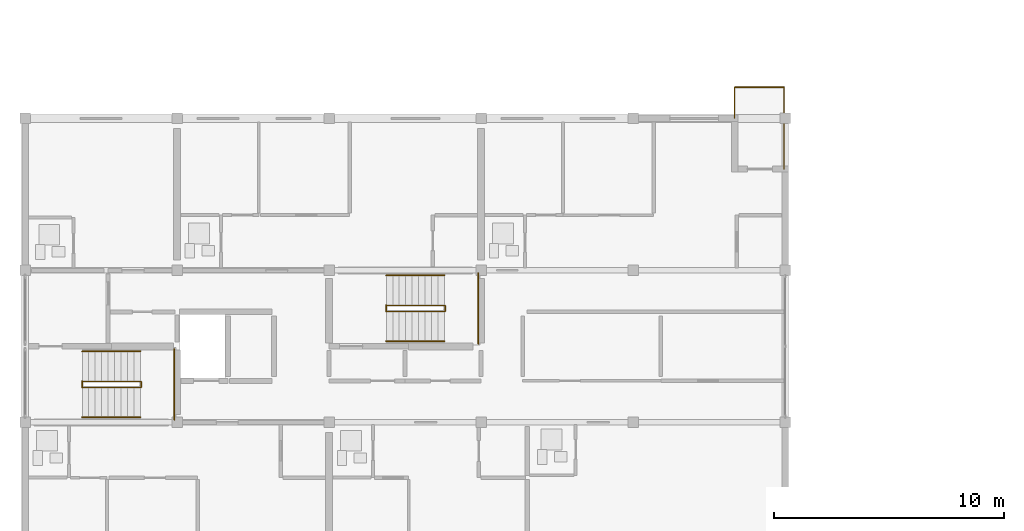
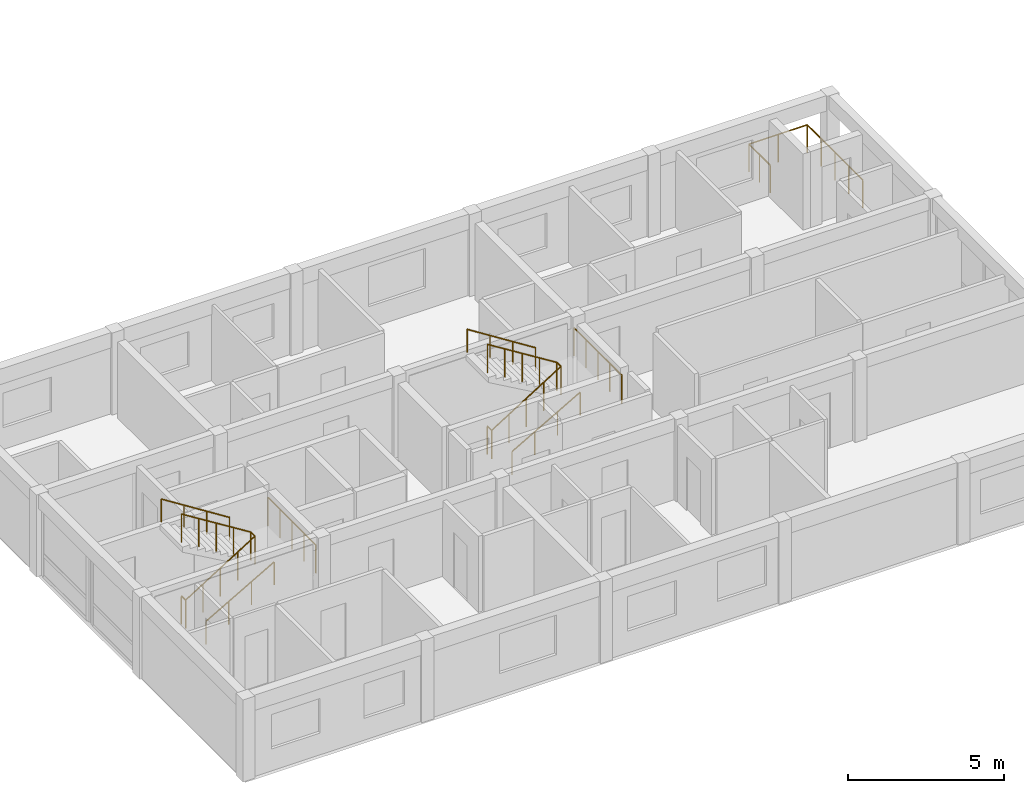
# One storey, part 31 of 34: 11 railings.
"""IFC4 building model written with IfcOpenShell, lengths in metres."""

from ifc_helpers import new_model, si_unit, direction, frame, origin, origin_2d, place, context, subcontext, project, spatial, circle, extrude, material, type_object, element, save


model = new_model("IFC4")

# Units and contexts
model_context = context("Model", 3, precision=1e-05, world=origin(), true_north=direction((0.0, 1.0)))
body_context = subcontext(model_context, "Body", "Model", "MODEL_VIEW")
ifc_project = project(units=[si_unit("LENGTHUNIT", "METRE"), si_unit("AREAUNIT", "SQUARE_METRE"), si_unit("VOLUMEUNIT", "CUBIC_METRE"), si_unit("PLANEANGLEUNIT", "RADIAN"), si_unit("MASSUNIT", "GRAM", prefix="KILO")], contexts=[model_context])

# Site, building, storey
site_placement = place(None, origin())
site = spatial("IfcSite", under=ifc_project, at=site_placement, CompositionType="ELEMENT")
building_placement = place(site_placement, origin())
building = spatial("IfcBuilding", under=site, at=building_placement, Name="Kernevlak Ridge Housing Community", CompositionType="ELEMENT")
storey_placement = place(building_placement, frame((0.0, 0.0, 34.0)))
storey = spatial("IfcBuildingStorey", under=building, at=storey_placement, Name="L10", CompositionType="ELEMENT", Elevation=34.0)

# Railings
ifc_material_1 = material(Name="Steel S355", Category="steel")
railing_type_1 = type_object("IfcRailingType", Name="BL-01", PredefinedType="BALUSTRADE", material=ifc_material_1)
railing_1_placement = place(storey_placement, frame((46.39990234375, 95.800048828125, 0.0)))
element("IfcRailing", 1, at=railing_1_placement, inside=storey, type_object=railing_type_1, Name="Block A L10 balcony balustrade BL-01 10", PredefinedType="BALUSTRADE", context=body_context, shape_type="SweptSolid", body=[
    extrude(circle(Radius=0.02392578125, at=origin_2d()), frame((0.0, 0.0, 1.076171875), z_axis=(0.0, 1.0, 0.0), x_axis=(-1.0, 0.0, 0.0)), (0.0, 0.0, 1.0), 1.349853515625),
    extrude(circle(Radius=0.02392578125, at=origin_2d()), frame((0.0, 1.349853515625, 1.076171875), z_axis=(1.0, 0.0, 0.0), x_axis=(0.0, 1.0, 0.0)), (0.0, 0.0, 1.0), 2.150146484375),
    extrude(circle(Radius=0.02392578125, at=origin_2d()), frame((2.150146484375, 1.349853515625, 1.076171875), z_axis=(0.0, -1.0, 0.0), x_axis=(1.0, 0.0, 0.0)), (0.0, 0.0, 1.0), 3.5498046875),
    extrude(circle(Radius=0.02099609375, at=origin_2d()), origin(), (0.0, 0.0, 1.0), 1.052001953125),
    extrude(circle(Radius=0.02099609375, at=origin_2d()), frame((0.0, 0.6748046875, 0.0)), (0.0, 0.0, 1.0), 1.052001953125),
    extrude(circle(Radius=0.02099609375, at=origin_2d()), frame((0.0, 1.349853515625, 0.0)), (0.0, 0.0, 1.0), 1.052001953125),
    extrude(circle(Radius=0.02099609375, at=origin_2d()), frame((1.0751953125, 1.349853515625, 0.0)), (0.0, 0.0, 1.0), 1.052001953125),
    extrude(circle(Radius=0.02099609375, at=origin_2d()), frame((2.150146484375, 1.349853515625, 0.0)), (0.0, 0.0, 1.0), 1.052001953125),
    extrude(circle(Radius=0.02099609375, at=origin_2d()), frame((2.150146484375, 0.46240234375, 0.0)), (0.0, 0.0, 1.0), 1.052001953125),
    extrude(circle(Radius=0.02099609375, at=origin_2d()), frame((2.150146484375, -0.425048828125, 0.0)), (0.0, 0.0, 1.0), 1.052001953125),
    extrude(circle(Radius=0.02099609375, at=origin_2d()), frame((2.150146484375, -1.3125, 0.0)), (0.0, 0.0, 1.0), 1.052001953125),
    extrude(circle(Radius=0.02099609375, at=origin_2d()), frame((2.150146484375, -2.199951171875, 0.0)), (0.0, 0.0, 1.0), 1.052001953125),
])
railing_type_2 = type_object("IfcRailingType", Name="GR-02", PredefinedType="GUARDRAIL", material=ifc_material_1)
railing_2_placement = place(storey_placement, frame((18.080078125, 84.110107421875, 0.0)))
element("IfcRailing", 2, at=railing_2_placement, inside=storey, type_object=railing_type_2, Name="Stair ST-A1 L10 well slot guard", PredefinedType="GUARDRAIL", context=body_context, shape_type="SweptSolid", body=[
    extrude(circle(Radius=0.02392578125, at=origin_2d()), frame((0.0, 0.0, 1.09619140625), z_axis=(0.0, 1.0, 0.0), x_axis=(-1.0, 0.0, 0.0)), (0.0, 0.0, 1.0), 0.27978515625),
    extrude(circle(Radius=0.02099609375, at=origin_2d()), origin(), (0.0, 0.0, 1.0), 1.072021484375),
    extrude(circle(Radius=0.02099609375, at=origin_2d()), frame((0.0, 0.27978515625, 0.0)), (0.0, 0.0, 1.0), 1.072021484375),
])
railing_3_placement = place(storey_placement, frame((18.080078125, 84.1201171875, 0.0)))
element("IfcRailing", 3, at=railing_3_placement, inside=storey, type_object=railing_type_2, Name="Stair ST-A1 L10 inner well guardrail", PredefinedType="GUARDRAIL", context=body_context, shape_type="SweptSolid", body=[
    extrude(circle(Radius=0.02392578125, at=origin_2d()), frame((0.0, 0.0, 1.09619140625), z_axis=(0.847966497998, 0.0, 0.530049826217), x_axis=(0.0, 1.0, 0.0)), (0.0, 0.0, 1.0), 3.018798828125),
    extrude(circle(Radius=0.02392578125, at=origin_2d()), frame((2.559814453125, 0.0, 2.6962890625), z_axis=(0.0, 1.0, 0.0), x_axis=(-1.0, 0.0, 0.0)), (0.0, 0.0, 1.0), 0.259765625),
    extrude(circle(Radius=0.02392578125, at=origin_2d()), frame((2.559814453125, 0.259765625, 2.6962890625), z_axis=(-0.848002847666, 0.0, 0.529991670077), x_axis=(0.0, -1.0, 0.0)), (0.0, 0.0, 1.0), 3.0185546875),
    extrude(circle(Radius=0.02099609375, at=origin_2d()), origin(), (0.0, 0.0, 1.0), 1.072021484375),
    extrude(circle(Radius=0.02099609375, at=origin_2d()), frame((0.639892578125, 0.0, 0.39990234375)), (0.0, 0.0, 1.0), 1.072021484375),
    extrude(circle(Radius=0.02099609375, at=origin_2d()), frame((1.27978515625, 0.0, 0.800048828125)), (0.0, 0.0, 1.0), 1.072021484375),
    extrude(circle(Radius=0.02099609375, at=origin_2d()), frame((1.919921875, 0.0, 1.2001953125)), (0.0, 0.0, 1.0), 1.072021484375),
    extrude(circle(Radius=0.02099609375, at=origin_2d()), frame((2.559814453125, 0.0, 1.60009765625)), (0.0, 0.0, 1.0), 1.072021484375),
    extrude(circle(Radius=0.02099609375, at=origin_2d()), frame((2.559814453125, 0.259765625, 1.60009765625)), (0.0, 0.0, 1.0), 1.072021484375),
    extrude(circle(Radius=0.02099609375, at=origin_2d()), frame((1.919921875, 0.259765625, 2.0)), (0.0, 0.0, 1.0), 1.072021484375),
    extrude(circle(Radius=0.02099609375, at=origin_2d()), frame((1.27978515625, 0.259765625, 2.39990234375)), (0.0, 0.0, 1.0), 1.072021484375),
    extrude(circle(Radius=0.02099609375, at=origin_2d()), frame((0.639892578125, 0.259765625, 2.800048828125)), (0.0, 0.0, 1.0), 1.072021484375),
    extrude(circle(Radius=0.02099609375, at=origin_2d()), frame((0.0, 0.259765625, 3.199951171875)), (0.0, 0.0, 1.0), 1.072021484375),
])
railing_4_placement = place(storey_placement, frame((22.080078125, 82.719970703125, 1.60009765625)))
element("IfcRailing", 4, at=railing_4_placement, inside=storey, type_object=railing_type_2, Name="Stair ST-A1 L10 half-landing guard", PredefinedType="GUARDRAIL", context=body_context, shape_type="SweptSolid", body=[
    extrude(circle(Radius=0.02392578125, at=origin_2d()), frame((0.0, 0.0, 1.09619140625), z_axis=(0.0, 1.0, 0.0), x_axis=(-1.0, 0.0, 0.0)), (0.0, 0.0, 1.0), 3.06005859375),
    extrude(circle(Radius=0.02099609375, at=origin_2d()), origin(), (0.0, 0.0, 1.0), 1.072021484375),
    extrude(circle(Radius=0.02099609375, at=origin_2d()), frame((0.0, 0.76513671875, 0.0)), (0.0, 0.0, 1.0), 1.072021484375),
    extrude(circle(Radius=0.02099609375, at=origin_2d()), frame((0.0, 1.530029296875, 0.0)), (0.0, 0.0, 1.0), 1.072021484375),
    extrude(circle(Radius=0.02099609375, at=origin_2d()), frame((0.0, 2.294921875, 0.0)), (0.0, 0.0, 1.0), 1.072021484375),
    extrude(circle(Radius=0.02099609375, at=origin_2d()), frame((0.0, 3.06005859375, 0.0)), (0.0, 0.0, 1.0), 1.072021484375),
])
railing_5_placement = place(storey_placement, frame((31.280029296875, 87.409912109375, 0.0)))
element("IfcRailing", 5, at=railing_5_placement, inside=storey, type_object=railing_type_2, Name="Stair ST-A2 L10 well slot guard", PredefinedType="GUARDRAIL", context=body_context, shape_type="SweptSolid", body=[
    extrude(circle(Radius=0.02392578125, at=origin_2d()), frame((0.0, 0.0, 1.09619140625), z_axis=(0.0, 1.0, 0.0), x_axis=(-1.0, 0.0, 0.0)), (0.0, 0.0, 1.0), 0.280029296875),
    extrude(circle(Radius=0.02099609375, at=origin_2d()), origin(), (0.0, 0.0, 1.0), 1.072021484375),
    extrude(circle(Radius=0.02099609375, at=origin_2d()), frame((0.0, 0.280029296875, 0.0)), (0.0, 0.0, 1.0), 1.072021484375),
])
railing_6_placement = place(storey_placement, frame((31.280029296875, 87.419921875, 0.0)))
element("IfcRailing", 6, at=railing_6_placement, inside=storey, type_object=railing_type_2, Name="Stair ST-A2 L10 inner well guardrail", PredefinedType="GUARDRAIL", context=body_context, shape_type="SweptSolid", body=[
    extrude(circle(Radius=0.02392578125, at=origin_2d()), frame((0.0, 0.0, 1.09619140625), z_axis=(0.847989217509, 0.0, 0.530013478119), x_axis=(0.0, 1.0, 0.0)), (0.0, 0.0, 1.0), 3.01904296875),
    extrude(circle(Radius=0.02392578125, at=origin_2d()), frame((2.56005859375, 0.0, 2.6962890625), z_axis=(0.0, 1.0, 0.0), x_axis=(-1.0, 0.0, 0.0)), (0.0, 0.0, 1.0), 0.260009765625),
    extrude(circle(Radius=0.02392578125, at=origin_2d()), frame((2.56005859375, 0.260009765625, 2.6962890625), z_axis=(-0.848025563165, 0.0, 0.529955322851), x_axis=(0.0, -1.0, 0.0)), (0.0, 0.0, 1.0), 3.018798828125),
    extrude(circle(Radius=0.02099609375, at=origin_2d()), origin(), (0.0, 0.0, 1.0), 1.072021484375),
    extrude(circle(Radius=0.02099609375, at=origin_2d()), frame((0.64013671875, 0.0, 0.39990234375)), (0.0, 0.0, 1.0), 1.072021484375),
    extrude(circle(Radius=0.02099609375, at=origin_2d()), frame((1.280029296875, 0.0, 0.800048828125)), (0.0, 0.0, 1.0), 1.072021484375),
    extrude(circle(Radius=0.02099609375, at=origin_2d()), frame((1.919921875, 0.0, 1.2001953125)), (0.0, 0.0, 1.0), 1.072021484375),
    extrude(circle(Radius=0.02099609375, at=origin_2d()), frame((2.56005859375, 0.0, 1.60009765625)), (0.0, 0.0, 1.0), 1.072021484375),
    extrude(circle(Radius=0.02099609375, at=origin_2d()), frame((2.56005859375, 0.260009765625, 1.60009765625)), (0.0, 0.0, 1.0), 1.072021484375),
    extrude(circle(Radius=0.02099609375, at=origin_2d()), frame((1.919921875, 0.260009765625, 2.0)), (0.0, 0.0, 1.0), 1.072021484375),
    extrude(circle(Radius=0.02099609375, at=origin_2d()), frame((1.280029296875, 0.260009765625, 2.39990234375)), (0.0, 0.0, 1.0), 1.072021484375),
    extrude(circle(Radius=0.02099609375, at=origin_2d()), frame((0.64013671875, 0.260009765625, 2.800048828125)), (0.0, 0.0, 1.0), 1.072021484375),
    extrude(circle(Radius=0.02099609375, at=origin_2d()), frame((0.0, 0.260009765625, 3.199951171875)), (0.0, 0.0, 1.0), 1.072021484375),
])
railing_7_placement = place(storey_placement, frame((35.280029296875, 86.02001953125, 1.60009765625)))
element("IfcRailing", 7, at=railing_7_placement, inside=storey, type_object=railing_type_2, Name="Stair ST-A2 L10 half-landing guard", PredefinedType="GUARDRAIL", context=body_context, shape_type="SweptSolid", body=[
    extrude(circle(Radius=0.02392578125, at=origin_2d()), frame((0.0, 0.0, 1.09619140625), z_axis=(0.0, 1.0, 0.0), x_axis=(-1.0, 0.0, 0.0)), (0.0, 0.0, 1.0), 3.06005859375),
    extrude(circle(Radius=0.02099609375, at=origin_2d()), origin(), (0.0, 0.0, 1.0), 1.072021484375),
    extrude(circle(Radius=0.02099609375, at=origin_2d()), frame((0.0, 0.76513671875, 0.0)), (0.0, 0.0, 1.0), 1.072021484375),
    extrude(circle(Radius=0.02099609375, at=origin_2d()), frame((0.0, 1.530029296875, 0.0)), (0.0, 0.0, 1.0), 1.072021484375),
    extrude(circle(Radius=0.02099609375, at=origin_2d()), frame((0.0, 2.294921875, 0.0)), (0.0, 0.0, 1.0), 1.072021484375),
    extrude(circle(Radius=0.02099609375, at=origin_2d()), frame((0.0, 3.06005859375, 0.0)), (0.0, 0.0, 1.0), 1.072021484375),
])
ifc_material_2 = material(Name="Stainless steel EN 1.4401", Category="steel")
railing_type_3 = type_object("IfcRailingType", Name="HR-01", PredefinedType="HANDRAIL", material=ifc_material_2)
railing_8_placement = place(storey_placement, frame((18.080078125, 82.820068359375, 0.159912109375)))
element("IfcRailing", 8, at=railing_8_placement, inside=storey, type_object=railing_type_3, Name="Stair ST-A1 L10 flight 1 handrail", PredefinedType="HANDRAIL", context=body_context, shape_type="SweptSolid", body=[
    extrude(circle(Radius=0.02392578125, at=origin_2d()), frame((0.0, 0.0, 0.89599609375), z_axis=(0.868217259934, 0.0, 0.496184229447), x_axis=(0.0, 1.0, 0.0)), (0.0, 0.0, 1.0), 2.902587890625),
    extrude(circle(Radius=0.02099609375, at=origin_2d()), origin(), (0.0, 0.0, 1.0), 0.871826171875),
    extrude(circle(Radius=0.02099609375, at=origin_2d()), frame((0.840087890625, 0.0, 0.47998046875)), (0.0, 0.0, 1.0), 0.871826171875),
    extrude(circle(Radius=0.02099609375, at=origin_2d()), frame((1.679931640625, 0.0, 0.960205078125)), (0.0, 0.0, 1.0), 0.871826171875),
    extrude(circle(Radius=0.02099609375, at=origin_2d()), frame((2.52001953125, 0.0, 1.440185546875)), (0.0, 0.0, 1.0), 0.871826171875),
])
railing_9_placement = place(storey_placement, frame((20.60009765625, 85.679931640625, 1.60009765625)))
element("IfcRailing", 9, at=railing_9_placement, inside=storey, type_object=railing_type_3, Name="Stair ST-A1 L10 flight 2 handrail", PredefinedType="HANDRAIL", context=body_context, shape_type="SweptSolid", body=[
    extrude(circle(Radius=0.02392578125, at=origin_2d()), frame((0.0, 0.0, 0.89599609375), z_axis=(-0.84423690053, 0.0, 0.535970200462), x_axis=(0.0, -1.0, 0.0)), (0.0, 0.0, 1.0), 2.98486328125),
    extrude(circle(Radius=0.02099609375, at=origin_2d()), origin(), (0.0, 0.0, 1.0), 0.871826171875),
    extrude(circle(Radius=0.02099609375, at=origin_2d()), frame((-0.840087890625, 0.0, 0.533203125)), (0.0, 0.0, 1.0), 0.871826171875),
    extrude(circle(Radius=0.02099609375, at=origin_2d()), frame((-1.679931640625, 0.0, 1.066650390625)), (0.0, 0.0, 1.0), 0.871826171875),
    extrude(circle(Radius=0.02099609375, at=origin_2d()), frame((-2.52001953125, 0.0, 1.599853515625)), (0.0, 0.0, 1.0), 0.871826171875),
])
railing_10_placement = place(storey_placement, frame((31.280029296875, 86.1201171875, 0.159912109375)))
element("IfcRailing", 10, at=railing_10_placement, inside=storey, type_object=railing_type_3, Name="Stair ST-A2 L10 flight 1 handrail", PredefinedType="HANDRAIL", context=body_context, shape_type="SweptSolid", body=[
    extrude(circle(Radius=0.02392578125, at=origin_2d()), frame((0.0, 0.0, 0.89599609375), z_axis=(0.868217259934, 0.0, 0.496184229447), x_axis=(0.0, 1.0, 0.0)), (0.0, 0.0, 1.0), 2.902587890625),
    extrude(circle(Radius=0.02099609375, at=origin_2d()), origin(), (0.0, 0.0, 1.0), 0.871826171875),
    extrude(circle(Radius=0.02099609375, at=origin_2d()), frame((0.840087890625, 0.0, 0.47998046875)), (0.0, 0.0, 1.0), 0.871826171875),
    extrude(circle(Radius=0.02099609375, at=origin_2d()), frame((1.679931640625, 0.0, 0.960205078125)), (0.0, 0.0, 1.0), 0.871826171875),
    extrude(circle(Radius=0.02099609375, at=origin_2d()), frame((2.52001953125, 0.0, 1.440185546875)), (0.0, 0.0, 1.0), 0.871826171875),
])
railing_11_placement = place(storey_placement, frame((33.800048828125, 88.97998046875, 1.60009765625)))
element("IfcRailing", 11, at=railing_11_placement, inside=storey, type_object=railing_type_3, Name="Stair ST-A2 L10 flight 2 handrail", PredefinedType="HANDRAIL", context=body_context, shape_type="SweptSolid", body=[
    extrude(circle(Radius=0.02392578125, at=origin_2d()), frame((0.0, 0.0, 0.89599609375), z_axis=(-0.84423690053, 0.0, 0.535970200462), x_axis=(0.0, -1.0, 0.0)), (0.0, 0.0, 1.0), 2.98486328125),
    extrude(circle(Radius=0.02099609375, at=origin_2d()), origin(), (0.0, 0.0, 1.0), 0.871826171875),
    extrude(circle(Radius=0.02099609375, at=origin_2d()), frame((-0.840087890625, 0.0, 0.533203125)), (0.0, 0.0, 1.0), 0.871826171875),
    extrude(circle(Radius=0.02099609375, at=origin_2d()), frame((-1.679931640625, 0.0, 1.066650390625)), (0.0, 0.0, 1.0), 0.871826171875),
    extrude(circle(Radius=0.02099609375, at=origin_2d()), frame((-2.52001953125, 0.0, 1.599853515625)), (0.0, 0.0, 1.0), 0.871826171875),
])

save(model, "model.ifc")
